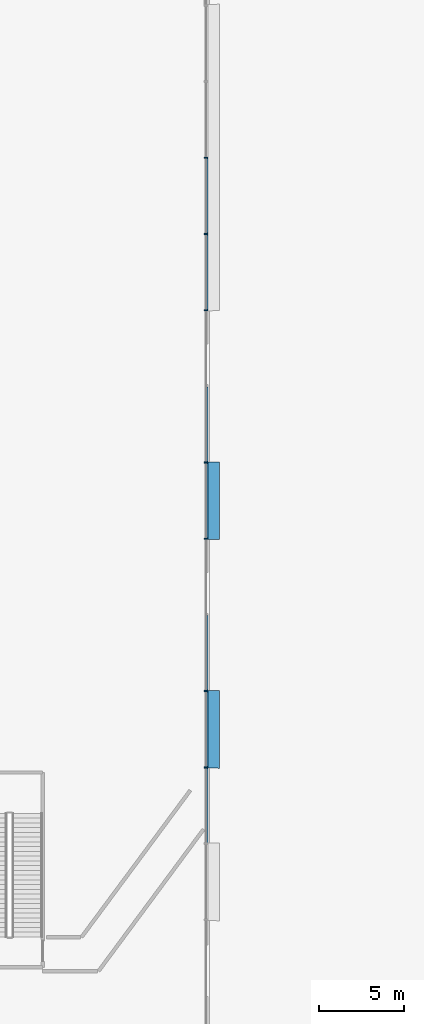
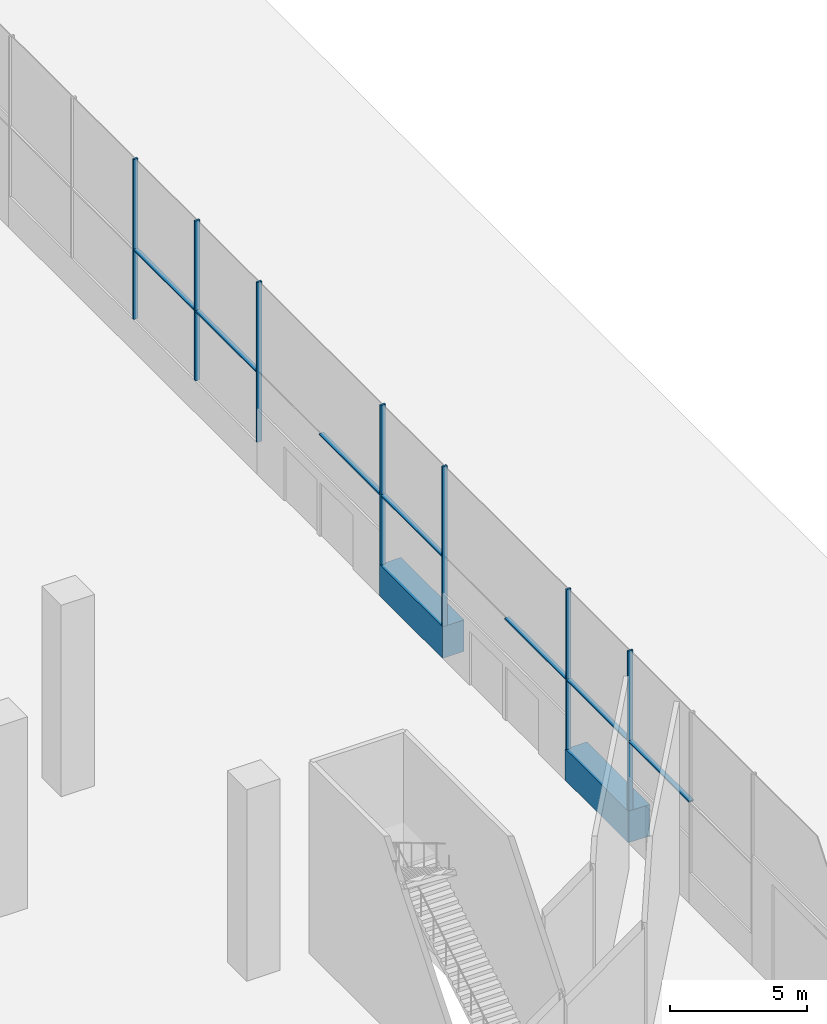
# One storey, part 13 of 54: 16 members, 1 element without a shape of its own.
"""IFC4 building model written with IfcOpenShell, lengths in metres."""

from ifc_helpers import new_model, si_unit, direction, frame, origin, origin_2d, place, context, subcontext, project, spatial, polyline, rectangle, outline, extrude, material, layer, layer_set, material_profile, profile_set, type_object, element, aggregate, save


model = new_model("IFC4")

# Units and contexts
model_context = context("Model", 3, precision=1e-05, world=origin(), true_north=direction((0.0, 1.0)))
body_context = subcontext(model_context, "Body", "Model", "MODEL_VIEW")
ifc_project = project(units=[si_unit("LENGTHUNIT", "METRE"), si_unit("AREAUNIT", "SQUARE_METRE"), si_unit("VOLUMEUNIT", "CUBIC_METRE"), si_unit("PLANEANGLEUNIT", "RADIAN"), si_unit("MASSUNIT", "GRAM", prefix="KILO")], contexts=[model_context])

# Site, building, storey
site_placement = place(None, origin())
site = spatial("IfcSite", under=ifc_project, at=site_placement, CompositionType="ELEMENT")
building_placement = place(site_placement, origin())
building = spatial("IfcBuilding", under=site, at=building_placement, Name="Tamarind Cross Interchange Tower", CompositionType="ELEMENT")
storey_placement = place(building_placement, origin())
storey = spatial("IfcBuildingStorey", under=building, at=storey_placement, Name="L00", CompositionType="ELEMENT", Elevation=0.0)

# Curtain wall, members
ifc_material_1 = material(Name="Aluminium 6063-T6", Category="aluminium")
ifc_layer = layer(ifc_material_1, 0.199951171875)
ifc_layer_set = layer_set([ifc_layer], Name="Aluminium 6063-T6")
curtain_wall_type = type_object("IfcCurtainWallType", Name="Podium shopfront and station curtain wall", PredefinedType="NOTDEFINED", material=ifc_layer_set)
curtain_wall_placement = place(storey_placement, origin())
curtain_wall = element("IfcCurtainWall", 1, at=curtain_wall_placement, inside=storey, type_object=curtain_wall_type, Name="CWS-L00-00", PredefinedType="NOTDEFINED")
ifc_material_2 = material(Name="Aluminium and insulated spandrel panel", Category="aluminium")
member_type_1 = type_object("IfcMemberType", Name="Floor-edge blade transom", PredefinedType="USERDEFINED", material=ifc_material_2)
member_1_placement = place(storey_placement, origin())
member_1 = element("IfcMember", 2, at=member_1_placement, type_object=member_type_1, Name="CWT-L00-00-3", ObjectType="TRANSOM", PredefinedType="USERDEFINED", context=body_context, shape_type="SweptSolid", body=[
    extrude(outline(polyline([(69.699951171875, -13.5341796875), (69.699951171875, -8.9560546875), (70.60009765625, -8.9677734375), (70.60009765625, -13.5517578125), (69.699951171875, -13.5341796875)])), origin(), (0.0, 0.0, 1.0), 1.39990234375),
])
member_2_placement = place(storey_placement, origin())
member_2 = element("IfcMember", 3, at=member_2_placement, type_object=member_type_1, Name="CWT-L00-00-4", ObjectType="TRANSOM", PredefinedType="USERDEFINED", context=body_context, shape_type="SweptSolid", body=[
    extrude(outline(polyline([(69.699951171875, -0.0400390625), (69.699951171875, 4.5380859375), (70.60009765625, 4.5439453125), (70.60009765625, -0.0400390625), (69.699951171875, -0.0400390625)])), origin(), (0.0, 0.0, 1.0), 1.39990234375),
])
ifc_material_profile = material_profile(ifc_material_1, rectangle(XDim=0.080078125, YDim=0.199951171875, at=origin_2d()), Name="Mullion CW3")
ifc_profile_set = profile_set([ifc_material_profile], Name="Aluminium 6063-T6")
member_type_2 = type_object("IfcMemberType", Name="Mullion CW3", PredefinedType="MULLION", material=ifc_profile_set)
member_3_placement = place(storey_placement, frame((69.800048828125, -13.49609375, 1.39990234375), z_axis=(0.0, 0.0, 1.0), x_axis=(0.0, 1.0, 0.0)))
member_3 = element("IfcMember", 4, at=member_3_placement, type_object=member_type_2, Name="CWM-L00-00-09", PredefinedType="MULLION", context=body_context, shape_type="SweptSolid", body=[
    extrude(rectangle(XDim=0.080078125, YDim=0.199951171875, at=origin_2d()), origin(), (0.0, 0.0, 1.0), 7.10009765625),
])
member_4_placement = place(storey_placement, frame((69.800048828125, -8.997314453125, 1.39990234375), z_axis=(0.0, 0.0, 1.0), x_axis=(0.0, 1.0, 0.0)))
member_4 = element("IfcMember", 5, at=member_4_placement, type_object=member_type_2, Name="CWM-L00-00-10", PredefinedType="MULLION", context=body_context, shape_type="SweptSolid", body=[
    extrude(rectangle(XDim=0.080078125, YDim=0.199951171875, at=origin_2d()), origin(), (0.0, 0.0, 1.0), 7.10009765625),
])
member_5_placement = place(storey_placement, frame((69.800048828125, 0.0, 1.39990234375), z_axis=(0.0, 0.0, 1.0), x_axis=(0.0, 1.0, 0.0)))
member_5 = element("IfcMember", 6, at=member_5_placement, type_object=member_type_2, Name="CWM-L00-00-12", PredefinedType="MULLION", context=body_context, shape_type="SweptSolid", body=[
    extrude(rectangle(XDim=0.080078125, YDim=0.199951171875, at=origin_2d()), origin(), (0.0, 0.0, 1.0), 7.10009765625),
])
member_6_placement = place(storey_placement, frame((69.800048828125, 4.498779296875, 1.39990234375), z_axis=(0.0, 0.0, 1.0), x_axis=(0.0, 1.0, 0.0)))
member_6 = element("IfcMember", 7, at=member_6_placement, type_object=member_type_2, Name="CWM-L00-00-13", PredefinedType="MULLION", context=body_context, shape_type="SweptSolid", body=[
    extrude(rectangle(XDim=0.080078125, YDim=0.199951171875, at=origin_2d()), origin(), (0.0, 0.0, 1.0), 7.10009765625),
])
member_7_placement = place(storey_placement, frame((69.800048828125, 13.49609375, 1.39990234375), z_axis=(0.0, 0.0, 1.0), x_axis=(0.0, 1.0, 0.0)))
member_7 = element("IfcMember", 8, at=member_7_placement, type_object=member_type_2, Name="CWM-L00-00-15", PredefinedType="MULLION", context=body_context, shape_type="SweptSolid", body=[
    extrude(rectangle(XDim=0.080078125, YDim=0.199951171875, at=origin_2d()), origin(), (0.0, 0.0, 1.0), 7.10009765625),
])
member_8_placement = place(storey_placement, frame((69.800048828125, 17.994873046875, 1.39990234375), z_axis=(0.0, 0.0, 1.0), x_axis=(0.0, 1.0, 0.0)))
member_8 = element("IfcMember", 9, at=member_8_placement, type_object=member_type_2, Name="CWM-L00-00-16", PredefinedType="MULLION", context=body_context, shape_type="SweptSolid", body=[
    extrude(rectangle(XDim=0.080078125, YDim=0.199951171875, at=origin_2d()), origin(), (0.0, 0.0, 1.0), 7.10009765625),
])
member_9_placement = place(storey_placement, frame((69.800048828125, 22.493408203125, 1.39990234375), z_axis=(0.0, 0.0, 1.0), x_axis=(0.0, 1.0, 0.0)))
member_9 = element("IfcMember", 10, at=member_9_placement, type_object=member_type_2, Name="CWM-L00-00-17", PredefinedType="MULLION", context=body_context, shape_type="SweptSolid", body=[
    extrude(rectangle(XDim=0.080078125, YDim=0.199951171875, at=origin_2d()), origin(), (0.0, 0.0, 1.0), 7.10009765625),
])
member_type_3 = type_object("IfcMemberType", Name="Podium intermediate transom", PredefinedType="USERDEFINED", material=ifc_material_1)
member_10_placement = place(storey_placement, frame((0.0, 0.0, 4.469970703125)))
member_10 = element("IfcMember", 11, at=member_10_placement, type_object=member_type_3, Name="CWT-L00-00-I0-08", ObjectType="TRANSOM", PredefinedType="USERDEFINED", context=body_context, shape_type="SweptSolid", body=[
    extrude(outline(polyline([(69.699951171875, -17.954833984375), (69.699951171875, -13.5361328125), (69.89990234375, -13.5361328125), (69.89990234375, -17.954833984375), (69.699951171875, -17.954833984375)])), origin(), (0.0, 0.0, 1.0), 0.06005859375),
])
member_11_placement = place(storey_placement, frame((0.0, 0.0, 4.469970703125)))
member_11 = element("IfcMember", 12, at=member_11_placement, type_object=member_type_3, Name="CWT-L00-00-I0-09", ObjectType="TRANSOM", PredefinedType="USERDEFINED", context=body_context, shape_type="SweptSolid", body=[
    extrude(outline(polyline([(69.699951171875, -13.4560546875), (69.699951171875, -9.037353515625), (69.89990234375, -9.037353515625), (69.89990234375, -13.4560546875), (69.699951171875, -13.4560546875)])), origin(), (0.0, 0.0, 1.0), 0.06005859375),
])
member_12_placement = place(storey_placement, frame((0.0, 0.0, 4.469970703125)))
member_12 = element("IfcMember", 13, at=member_12_placement, type_object=member_type_3, Name="CWT-L00-00-I0-10", ObjectType="TRANSOM", PredefinedType="USERDEFINED", context=body_context, shape_type="SweptSolid", body=[
    extrude(outline(polyline([(69.699951171875, -8.957275390625), (69.699951171875, -4.53857421875), (69.89990234375, -4.53857421875), (69.89990234375, -8.957275390625), (69.699951171875, -8.957275390625)])), origin(), (0.0, 0.0, 1.0), 0.06005859375),
])
member_13_placement = place(storey_placement, frame((0.0, 0.0, 4.469970703125)))
member_13 = element("IfcMember", 14, at=member_13_placement, type_object=member_type_3, Name="CWT-L00-00-I0-12", ObjectType="TRANSOM", PredefinedType="USERDEFINED", context=body_context, shape_type="SweptSolid", body=[
    extrude(outline(polyline([(69.699951171875, 0.0400390625), (69.699951171875, 4.458740234375), (69.89990234375, 4.458740234375), (69.89990234375, 0.0400390625), (69.699951171875, 0.0400390625)])), origin(), (0.0, 0.0, 1.0), 0.06005859375),
])
member_14_placement = place(storey_placement, frame((0.0, 0.0, 4.469970703125)))
member_14 = element("IfcMember", 15, at=member_14_placement, type_object=member_type_3, Name="CWT-L00-00-I0-13", ObjectType="TRANSOM", PredefinedType="USERDEFINED", context=body_context, shape_type="SweptSolid", body=[
    extrude(outline(polyline([(69.699951171875, 4.53857421875), (69.699951171875, 8.957275390625), (69.89990234375, 8.957275390625), (69.89990234375, 4.53857421875), (69.699951171875, 4.53857421875)])), origin(), (0.0, 0.0, 1.0), 0.06005859375),
])
member_15_placement = place(storey_placement, frame((0.0, 0.0, 4.469970703125)))
member_15 = element("IfcMember", 16, at=member_15_placement, type_object=member_type_3, Name="CWT-L00-00-I0-15", ObjectType="TRANSOM", PredefinedType="USERDEFINED", context=body_context, shape_type="SweptSolid", body=[
    extrude(outline(polyline([(69.699951171875, 13.5361328125), (69.699951171875, 17.954833984375), (69.89990234375, 17.954833984375), (69.89990234375, 13.5361328125), (69.699951171875, 13.5361328125)])), origin(), (0.0, 0.0, 1.0), 0.06005859375),
])
member_16_placement = place(storey_placement, frame((0.0, 0.0, 4.469970703125)))
member_16 = element("IfcMember", 17, at=member_16_placement, type_object=member_type_3, Name="CWT-L00-00-I0-16", ObjectType="TRANSOM", PredefinedType="USERDEFINED", context=body_context, shape_type="SweptSolid", body=[
    extrude(outline(polyline([(69.699951171875, 18.03466796875), (69.699951171875, 22.453369140625), (69.89990234375, 22.453369140625), (69.89990234375, 18.03466796875), (69.699951171875, 18.03466796875)])), origin(), (0.0, 0.0, 1.0), 0.06005859375),
])
aggregate(curtain_wall, [member_3, member_4, member_5, member_6, member_7, member_8, member_9, member_10, member_11, member_12, member_13, member_14, member_15, member_16, member_1, member_2])

save(model, "model.ifc")
